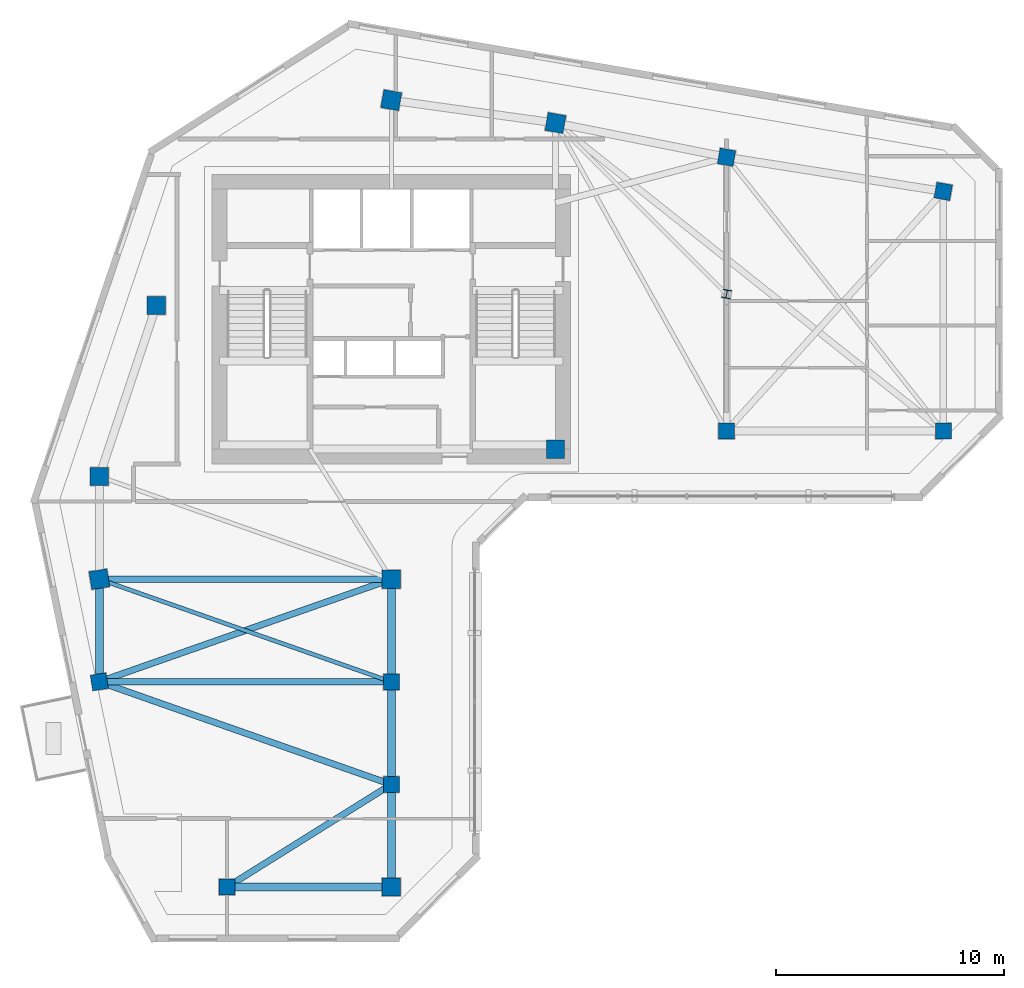
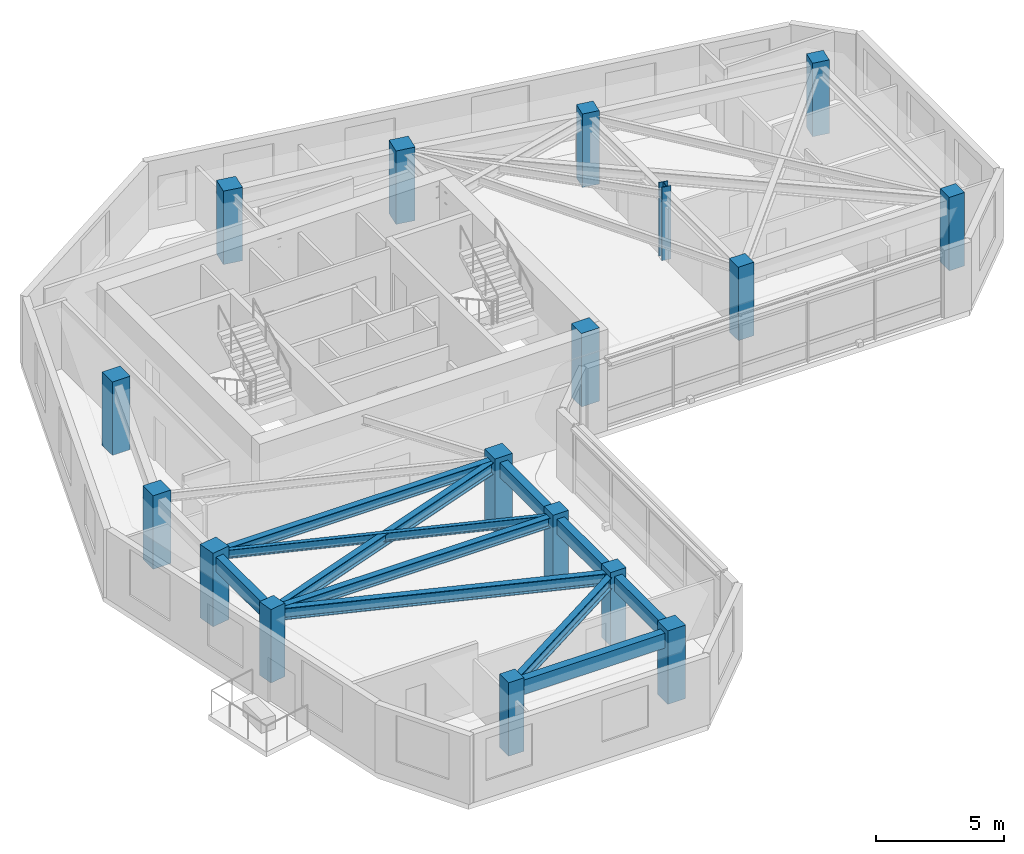
# One storey, part 1 of 10: 17 columns, 11 beams.
"""IFC4 building model written with IfcOpenShell, lengths in metres."""

from ifc_helpers import new_model, si_unit, direction, frame, origin, origin_2d, place, context, subcontext, project, spatial, rectangle, i_section, extrude, source, transform, mapped, material, material_profile, profile_set, type_object, element, save


model = new_model("IFC4")

# Units and contexts
model_context = context("Model", 3, precision=1e-05, world=origin(), true_north=direction((0.0, 1.0)))
body_context = subcontext(model_context, "Body", "Model", "MODEL_VIEW")
ifc_project = project(units=[si_unit("LENGTHUNIT", "METRE"), si_unit("AREAUNIT", "SQUARE_METRE"), si_unit("VOLUMEUNIT", "CUBIC_METRE"), si_unit("PLANEANGLEUNIT", "RADIAN"), si_unit("MASSUNIT", "GRAM", prefix="KILO")], contexts=[model_context])

# Site, building, storey
site_placement = place(None, origin())
site = spatial("IfcSite", under=ifc_project, at=site_placement, CompositionType="ELEMENT")
building_placement = place(site_placement, origin())
building = spatial("IfcBuilding", under=site, at=building_placement, Name="Calvemar Wedge Station Tower", CompositionType="ELEMENT")
storey_placement = place(building_placement, frame((0.0, 0.0, 204.39990234375)))
storey = spatial("IfcBuildingStorey", under=building, at=storey_placement, Name="L51", CompositionType="ELEMENT", Elevation=204.39990234375)

# Columns
ifc_material_1 = material(Name="Concrete C50", Category="concrete")
ifc_material_profile_1 = material_profile(ifc_material_1, rectangle(XDim=0.800048828125, YDim=0.800048828125, at=origin_2d()), Name="RC800x800")
ifc_profile_set_1 = profile_set([ifc_material_profile_1], Name="Concrete C50")
column_type_1 = type_object("IfcColumnType", Name="COL-C6-800", PredefinedType="COLUMN", material=ifc_profile_set_1)
shared_shape_1 = source(origin(), body_context, "Body", "SweptSolid", [
    extrude(rectangle(XDim=0.800048828125, YDim=0.800048828125, at=origin_2d()), origin(), (0.0, 0.0, 1.0), 3.5),
])
for number, where, z_axis, x_axis, name in (
    (1, (11.0, 33.0, 0.0), (0.0, 0.0, 1.0), (1.0, 0.0, 0.0), "Storey L51 Column T-NW1"),
    (2, (13.5, 40.5, 0.0), (0.0, 0.0, 1.0), (1.0, 0.0, 0.0), "Storey L51 Column T-NW2"),
    (3, (23.800048828125, 49.5, 0.0), (0.0, 0.0, 1.0), (0.984195607969, -0.17708474032, 0.0), "Storey L51 Column T-N1"),
    (4, (31.0, 48.5, 0.0), (0.0, 0.0, 1.0), (0.984195607969, -0.17708474032, 0.0), "Storey L51 Column T-N2"),
    (5, (31.0, 34.199951171875, 0.0), (0.0, 0.0, 1.0), (1.0, 0.0, 0.0), "Storey L51 Column T-NL1"),
    (6, (11.0, 28.5, 0.0), (0.0, 0.0, 1.0), (0.158158067254, -0.987413806751, 0.0), "Storey L51 Column T-SW1"),
    (7, (23.800048828125, 28.5, 0.0), (0.0, 0.0, 1.0), (1.0, 0.0, 0.0), "Storey L51 Column T-SE1"),
    (8, (23.800048828125, 15.0, 0.0), (0.0, 0.0, 1.0), (1.0, 0.0, 0.0), "Storey L51 Column T-SE4"),
):
    element("IfcColumn", number, at=place(storey_placement, frame(where, z_axis=z_axis, x_axis=x_axis)), inside=storey, type_object=column_type_1, Name=name, PredefinedType="COLUMN", context=body_context, shape_type="MappedRepresentation", body=[
        mapped(shared_shape_1, transform((0.0, 0.0, 0.0), scale=1.0)),
    ])
ifc_material_profile_2 = material_profile(ifc_material_1, rectangle(XDim=0.699951171875, YDim=0.699951171875, at=origin_2d()), Name="RC700x700")
ifc_profile_set_2 = profile_set([ifc_material_profile_2], Name="Concrete C50")
column_type_2 = type_object("IfcColumnType", Name="COL-C7-700", PredefinedType="COLUMN", material=ifc_profile_set_2)
shared_shape_2 = source(origin(), body_context, "Body", "SweptSolid", [
    extrude(rectangle(XDim=0.699951171875, YDim=0.699951171875, at=origin_2d()), origin(), (0.0, 0.0, 1.0), 3.5),
])
for number, where, z_axis, x_axis, name in (
    (9, (38.5, 47.0, 0.0), (0.0, 0.0, 1.0), (0.984195607969, -0.17708474032, 0.0), "Storey L51 Column T-NU3"),
    (10, (48.0, 45.5, 0.0), (0.0, 0.0, 1.0), (0.984195607969, -0.17708474032, 0.0), "Storey L51 Column T-NU4"),
    (11, (38.5, 35.0, 0.0), (0.0, 0.0, 1.0), (1.0, 0.0, 0.0), "Storey L51 Column T-NL2"),
    (12, (48.0, 35.0, 0.0), (0.0, 0.0, 1.0), (1.0, 0.0, 0.0), "Storey L51 Column T-NL3"),
    (13, (11.0, 24.0, 0.0), (0.0, 0.0, 1.0), (0.158158067254, -0.987413806751, 0.0), "Storey L51 Column T-SW2"),
    (14, (23.800048828125, 24.0, 0.0), (0.0, 0.0, 1.0), (1.0, 0.0, 0.0), "Storey L51 Column T-SE2"),
    (15, (23.800048828125, 19.5, 0.0), (0.0, 0.0, 1.0), (1.0, 0.0, 0.0), "Storey L51 Column T-SE3"),
    (16, (16.60009765625, 15.0, 0.0), (0.0, 0.0, 1.0), (1.0, 0.0, 0.0), "Storey L51 Column T-SM1"),
):
    element("IfcColumn", number, at=place(storey_placement, frame(where, z_axis=z_axis, x_axis=x_axis)), inside=storey, type_object=column_type_2, Name=name, PredefinedType="COLUMN", context=body_context, shape_type="MappedRepresentation", body=[
        mapped(shared_shape_2, transform((0.0, 0.0, 0.0), scale=1.0)),
    ])
ifc_material_2 = material(Name="Structural steel ASTM A572 Grade 50", Category="steel")
ifc_material_profile_3 = material_profile(ifc_material_2, i_section(OverallWidth=0.3740234375, OverallDepth=0.3720703125, WebThickness=0.016357421875, FlangeThickness=0.026123046875, FilletRadius=0.014892578125, at=origin_2d()), Name="W360x196")
ifc_profile_set_3 = profile_set([ifc_material_profile_3], Name="Structural steel ASTM A572 Grade 50")
column_type_3 = type_object("IfcColumnType", Name="COL-STL-W360", PredefinedType="COLUMN", material=ifc_profile_set_3)
shared_shape_3 = source(origin(), body_context, "Body", "SweptSolid", [
    extrude(i_section(OverallWidth=0.3740234375, OverallDepth=0.3720703125, WebThickness=0.016357421875, FlangeThickness=0.026123046875, FilletRadius=0.014892578125, at=origin_2d()), origin(), (0.0, 0.0, 1.0), 3.5),
])
column_placement = place(storey_placement, frame((38.5, 41.0, 0.0), z_axis=(0.0, 0.0, 1.0), x_axis=(0.984195607969, -0.17708474032, 0.0)))
element("IfcColumn", 17, at=column_placement, inside=storey, type_object=column_type_3, Name="Storey L51 Column T-NTIP-B", PredefinedType="COLUMN", context=body_context, shape_type="MappedRepresentation", body=[
    mapped(shared_shape_3, transform((0.0, 0.0, 0.0), scale=1.0)),
])

# Beams
ifc_material_profile_4 = material_profile(ifc_material_2, i_section(OverallWidth=0.177978515625, OverallDepth=0.406982421875, WebThickness=0.0078125, FlangeThickness=0.0126953125, FilletRadius=0.010009765625, at=origin_2d()), Name="W410x60")
ifc_profile_set_4 = profile_set([ifc_material_profile_4], Name="Structural steel ASTM A572 Grade 50")
beam_type_1 = type_object("IfcBeamType", Name="BM-J3-W410", PredefinedType="JOIST", material=ifc_profile_set_4)
shared_shape_4 = source(origin(), body_context, "Body", "SweptSolid", [
    extrude(i_section(OverallWidth=0.177978515625, OverallDepth=0.406982421875, WebThickness=0.0078125, FlangeThickness=0.0126953125, FilletRadius=0.010009765625, at=origin_2d()), origin(), (0.0, 0.0, 1.0), 13.568115234375),
])
beam_1_placement = place(storey_placement, frame((11.0, 28.5, 3.046630859375), z_axis=(0.943398221169, -0.331662171939, 0.0), x_axis=(0.331662171939, 0.943398221169, 0.0)))
element("IfcBeam", 18, at=beam_1_placement, inside=storey, type_object=beam_type_1, Name="Storey L51 Floor Beam T-SW1-T-SE2", PredefinedType="JOIST", context=body_context, shape_type="MappedRepresentation", body=[
    mapped(shared_shape_4, transform((0.0, 0.0, 0.0), scale=1.0)),
])
ifc_material_profile_5 = material_profile(ifc_material_2, i_section(OverallWidth=0.279052734375, OverallDepth=0.553955078125, WebThickness=0.017578125, FlangeThickness=0.029541015625, FilletRadius=0.014892578125, at=origin_2d()), Name="W530x196")
ifc_profile_set_5 = profile_set([ifc_material_profile_5], Name="Structural steel ASTM A572 Grade 50")
beam_type_2 = type_object("IfcBeamType", Name="BM-SB3-W530H", PredefinedType="BEAM", material=ifc_profile_set_5)
shared_shape_5 = source(origin(), body_context, "Body", "SweptSolid", [
    extrude(i_section(OverallWidth=0.279052734375, OverallDepth=0.553955078125, WebThickness=0.017578125, FlangeThickness=0.029541015625, FilletRadius=0.014892578125, at=origin_2d()), origin(), (0.0, 0.0, 1.0), 13.568115234375),
])
for number, where, z_axis, x_axis, name in (
    (19, (23.800048828125, 28.5, 2.97314453125), (-0.943398221169, -0.331662171939, 0.0), (0.331662171939, -0.943398221169, 0.0), "Storey L51 Floor Beam T-SE1-T-SW2"),
    (20, (11.0, 24.0, 2.97314453125), (0.943398221169, -0.331662171939, 0.0), (0.331662171939, 0.943398221169, 0.0), "Storey L51 Floor Beam T-SW2-T-SE3"),
):
    element("IfcBeam", number, at=place(storey_placement, frame(where, z_axis=z_axis, x_axis=x_axis)), inside=storey, type_object=beam_type_2, Name=name, PredefinedType="BEAM", context=body_context, shape_type="MappedRepresentation", body=[
        mapped(shared_shape_5, transform((0.0, 0.0, 0.0), scale=1.0)),
    ])
shared_shape_6 = source(origin(), body_context, "Body", "SweptSolid", [
    extrude(i_section(OverallWidth=0.279052734375, OverallDepth=0.553955078125, WebThickness=0.017578125, FlangeThickness=0.029541015625, FilletRadius=0.014892578125, at=origin_2d()), origin(), (0.0, 0.0, 1.0), 8.490478515625),
])
beam_2_placement = place(storey_placement, frame((23.800048828125, 19.5, 2.97314453125), z_axis=(-0.847996688584, -0.530001524668, 0.0), x_axis=(0.530001524668, -0.847996688584, 0.0)))
element("IfcBeam", 21, at=beam_2_placement, inside=storey, type_object=beam_type_2, Name="Storey L51 Floor Beam T-SE3-T-SM1", PredefinedType="BEAM", context=body_context, shape_type="MappedRepresentation", body=[
    mapped(shared_shape_6, transform((0.0, 0.0, 0.0), scale=1.0)),
])
ifc_material_profile_6 = material_profile(ifc_material_1, rectangle(XDim=0.35009765625, YDim=0.699951171875, at=origin_2d()), Name="RC350x700")
ifc_profile_set_6 = profile_set([ifc_material_profile_6], Name="Concrete C50")
beam_type_3 = type_object("IfcBeamType", Name="BM-SP2-700", PredefinedType="SPANDREL", material=ifc_profile_set_6)
shared_shape_7 = source(origin(), body_context, "Body", "SweptSolid", [
    extrude(rectangle(XDim=0.35009765625, YDim=0.699951171875, at=origin_2d()), origin(), (0.0, 0.0, 1.0), 4.5),
])
for number, where, z_axis, x_axis, name in (
    (22, (11.0, 28.5, 2.900146484375), (0.0, -1.0, 0.0), (1.0, 0.0, 0.0), "Storey L51 Spandrel T-SW1-T-SW2"),
    (23, (23.800048828125, 28.5, 2.900146484375), (0.0, -1.0, 0.0), (1.0, 0.0, 0.0), "Storey L51 Spandrel T-SE1-T-SE2"),
    (24, (23.800048828125, 24.0, 2.900146484375), (0.0, -1.0, 0.0), (1.0, 0.0, 0.0), "Storey L51 Spandrel T-SE2-T-SE3"),
    (25, (23.800048828125, 19.5, 2.900146484375), (0.0, -1.0, 0.0), (1.0, 0.0, 0.0), "Storey L51 Spandrel T-SE3-T-SE4"),
):
    element("IfcBeam", number, at=place(storey_placement, frame(where, z_axis=z_axis, x_axis=x_axis)), inside=storey, type_object=beam_type_3, Name=name, PredefinedType="SPANDREL", context=body_context, shape_type="MappedRepresentation", body=[
        mapped(shared_shape_7, transform((0.0, 0.0, 0.0), scale=1.0)),
    ])
shared_shape_8 = source(origin(), body_context, "Body", "SweptSolid", [
    extrude(rectangle(XDim=0.35009765625, YDim=0.699951171875, at=origin_2d()), origin(), (0.0, 0.0, 1.0), 7.199951171875),
])
beam_3_placement = place(storey_placement, frame((16.60009765625, 15.0, 2.900146484375), z_axis=(1.0, 0.0, 0.0), x_axis=(0.0, 1.0, 0.0)))
element("IfcBeam", 26, at=beam_3_placement, inside=storey, type_object=beam_type_3, Name="Storey L51 Spandrel T-SM1-T-SE4", PredefinedType="SPANDREL", context=body_context, shape_type="MappedRepresentation", body=[
    mapped(shared_shape_8, transform((0.0, 0.0, 0.0), scale=1.0)),
])
ifc_material_profile_7 = material_profile(ifc_material_2, i_section(OverallWidth=0.283935546875, OverallDepth=0.47607421875, WebThickness=0.014892578125, FlangeThickness=0.02392578125, FilletRadius=0.014892578125, at=origin_2d()), Name="W460x158")
ifc_profile_set_7 = profile_set([ifc_material_profile_7], Name="Structural steel ASTM A572 Grade 50")
beam_type_4 = type_object("IfcBeamType", Name="BM-SB5-W460H", PredefinedType="BEAM", material=ifc_profile_set_7)
shared_shape_9 = source(origin(), body_context, "Body", "SweptSolid", [
    extrude(i_section(OverallWidth=0.283935546875, OverallDepth=0.47607421875, WebThickness=0.014892578125, FlangeThickness=0.02392578125, FilletRadius=0.014892578125, at=origin_2d()), origin(), (0.0, 0.0, 1.0), 12.800048828125),
])
for number, where, z_axis, x_axis, name in (
    (27, (11.0, 28.5, 3.01220703125), (1.0, 0.0, 0.0), (0.0, 1.0, 0.0), "Storey L51 Floor Beam T-SW1-T-SE1"),
    (28, (11.0, 24.0, 3.01220703125), (1.0, 0.0, 0.0), (0.0, 1.0, 0.0), "Storey L51 Floor Beam T-SW2-T-SE2"),
):
    element("IfcBeam", number, at=place(storey_placement, frame(where, z_axis=z_axis, x_axis=x_axis)), inside=storey, type_object=beam_type_4, Name=name, PredefinedType="BEAM", context=body_context, shape_type="MappedRepresentation", body=[
        mapped(shared_shape_9, transform((0.0, 0.0, 0.0), scale=1.0)),
    ])

save(model, "model.ifc")
